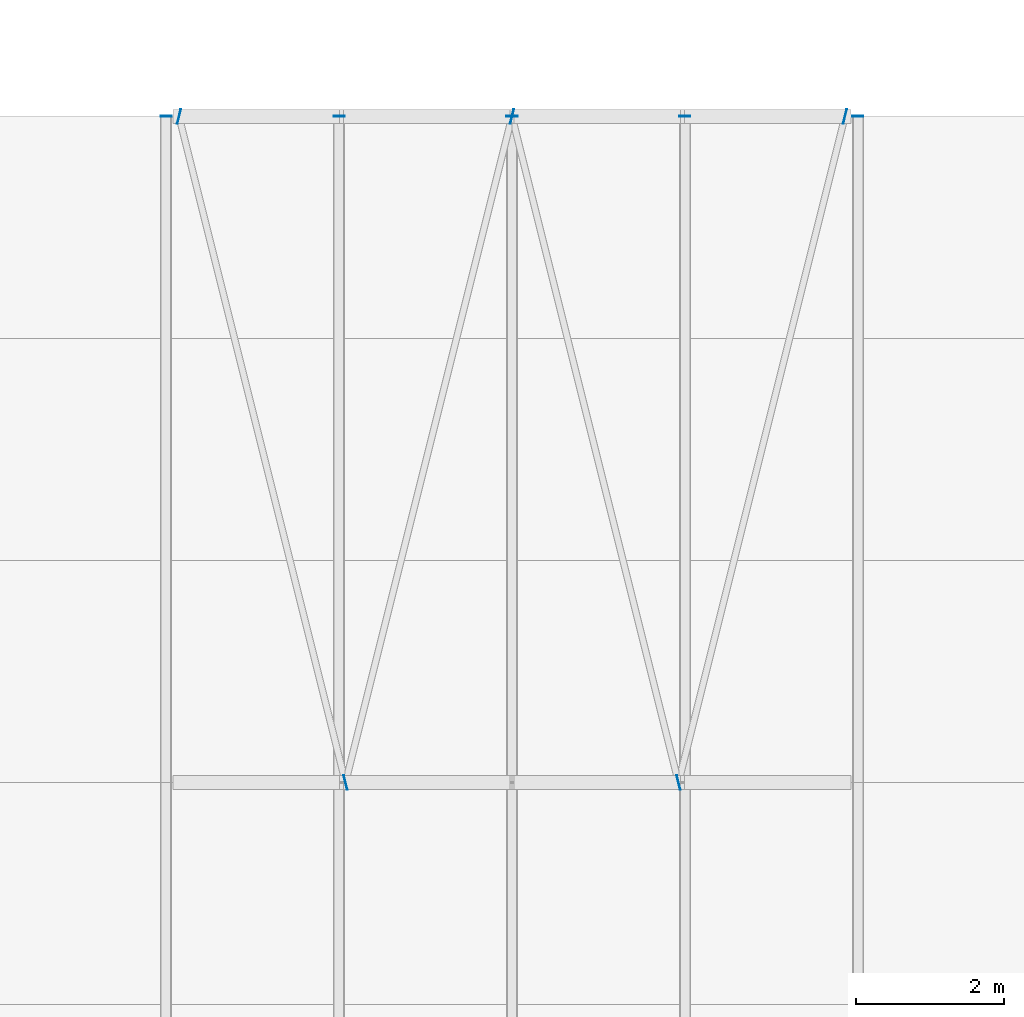
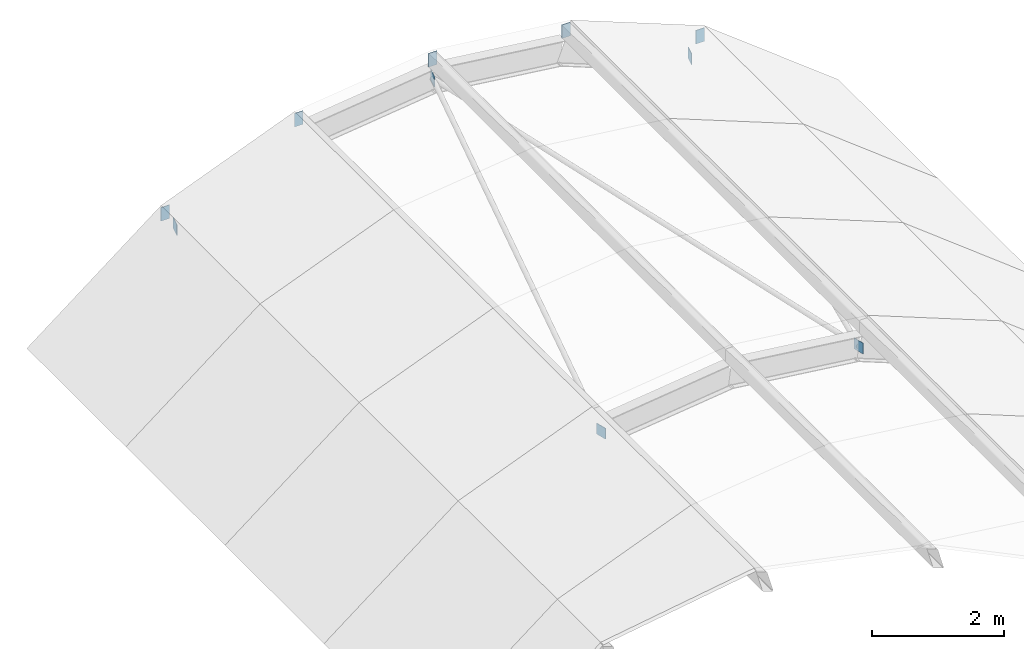
# One storey, part 30 of 33: 10 discrete accessories.
"""IFC4 building model written with IfcOpenShell, lengths in metres."""

from ifc_helpers import new_model, si_unit, direction, frame, origin, origin_2d, place, context, subcontext, project, spatial, rectangle, extrude, material, type_object, element, save


model = new_model("IFC4")

# Units and contexts
model_context = context("Model", 3, precision=1e-05, world=origin(), true_north=direction((0.0, 1.0)))
body_context = subcontext(model_context, "Body", "Model", "MODEL_VIEW")
ifc_project = project(units=[si_unit("LENGTHUNIT", "METRE"), si_unit("AREAUNIT", "SQUARE_METRE"), si_unit("VOLUMEUNIT", "CUBIC_METRE"), si_unit("PLANEANGLEUNIT", "RADIAN"), si_unit("MASSUNIT", "GRAM", prefix="KILO")], contexts=[model_context])

# Site, building, storey
site_placement = place(None, origin())
site = spatial("IfcSite", under=ifc_project, at=site_placement, CompositionType="ELEMENT")
building_placement = place(site_placement, origin())
building = spatial("IfcBuilding", under=site, at=building_placement, Name="Hortulan Conservatory and Botanical Research Centre", CompositionType="ELEMENT")
storey_placement = place(building_placement, frame((0.0, 0.0, 19.199951171875)))
storey = spatial("IfcBuildingStorey", under=building, at=storey_placement, Name="L04", CompositionType="ELEMENT", Elevation=19.199951171875)

# Discrete accessories
ifc_material = material(Name="Steel Grade 300 plate (AS/NZS 3678, 280 MPa minimum yield)", Category="steel")
discrete_accessory_type_1 = type_object("IfcDiscreteAccessoryType", Name="End Plate 200x10", PredefinedType="BRACKET", material=ifc_material)
for number, where, z_axis, x_axis, name in (
    (1, (94.5, 72.0, 0.537109375), (0.0, 0.0, 1.0), (0.242531502591, 0.970143530747, 0.0), "Brace end plate"),
    (2, (96.75, 63.0, 1.42333984375), (0.0, 0.0, 1.0), (0.242531502591, -0.970143530747, 0.0), "Brace end plate"),
    (3, (99.0, 72.0, 1.7001953125), (0.0, 0.0, 1.0), (0.242531502591, 0.970143530747, 0.0), "Brace end plate"),
    (4, (101.25, 63.0, 1.42333984375), (0.0, 0.0, 1.0), (0.242531502591, -0.970143530747, 0.0), "Brace end plate"),
    (5, (103.5, 72.0, 0.537109375), (0.0, 0.0, 1.0), (0.242531502591, 0.970143530747, 0.0), "Brace end plate"),
):
    element("IfcDiscreteAccessory", number, at=place(storey_placement, frame(where, z_axis=z_axis, x_axis=x_axis)), inside=storey, type_object=discrete_accessory_type_1, Name=name, PredefinedType="BRACKET", context=body_context, shape_type="SweptSolid", body=[
        extrude(rectangle(XDim=0.199951171875, YDim=0.010009765625, at=origin_2d()), origin(), (0.0, 0.0, 1.0), 0.199951171875),
    ])
discrete_accessory_type_2 = type_object("IfcDiscreteAccessoryType", Name="End Plate 250x10", PredefinedType="BRACKET", material=ifc_material)
for number, where, z_axis, x_axis, name in (
    (6, (94.3251953125, 72.0048828125, 0.81884765625), (0.0, 0.0, 1.0), (1.0, 0.0, 0.0), "Vault purlin 2 end plate N"),
    (7, (96.6630859375, 72.0048828125, 1.740234375), (0.0, 0.0, 1.0), (1.0, 0.0, 0.0), "Vault purlin 3 end plate N"),
    (8, (99.0, 72.0048828125, 2.02783203125), (0.0, 0.0, 1.0), (1.0, 0.0, 0.0), "Vault purlin 4 end plate N"),
    (9, (101.3369140625, 72.0048828125, 1.740234375), (0.0, 0.0, 1.0), (1.0, 0.0, 0.0), "Vault purlin 5 end plate N"),
    (10, (103.6748046875, 72.0048828125, 0.81884765625), (0.0, 0.0, 1.0), (1.0, 0.0, 0.0), "Vault purlin 6 end plate N"),
):
    element("IfcDiscreteAccessory", number, at=place(storey_placement, frame(where, z_axis=z_axis, x_axis=x_axis)), inside=storey, type_object=discrete_accessory_type_2, Name=name, PredefinedType="BRACKET", context=body_context, shape_type="SweptSolid", body=[
        extrude(rectangle(XDim=0.14990234375, YDim=0.010009765625, at=origin_2d()), origin(), (0.0, 0.0, 1.0), 0.25),
    ])

save(model, "model.ifc")
